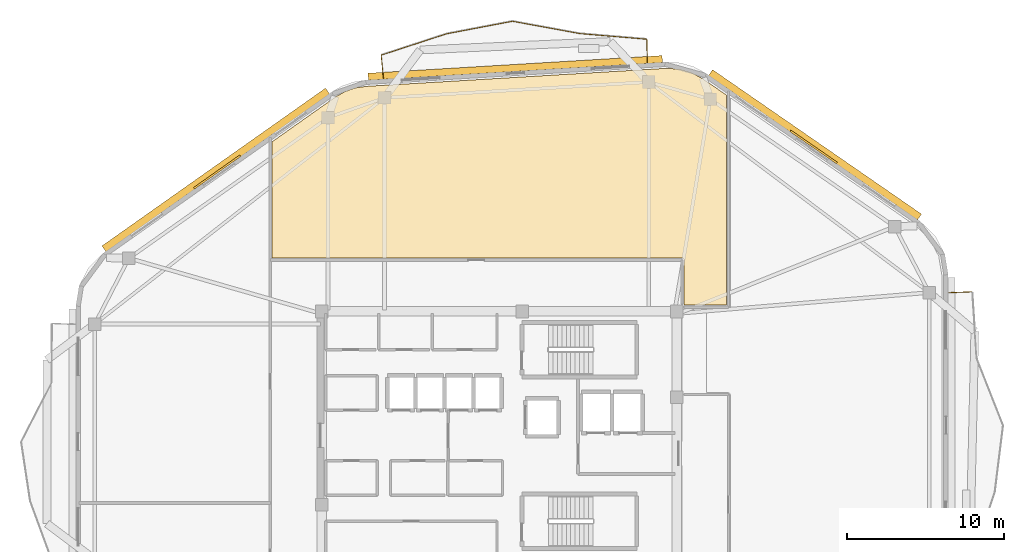
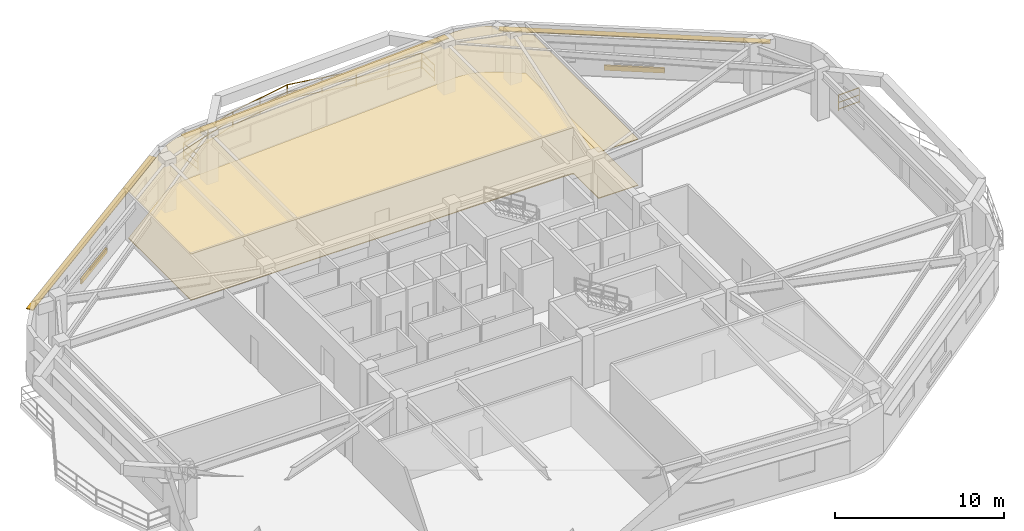
# One storey, part 9 of 9: 7 railings, 5 shading devices, 2 coverings.
"""IFC4 building model written with IfcOpenShell, lengths in metres."""

import ifcopenshell
import ifcopenshell.guid

model = None  # the IFC model being written
_history = None  # IfcOwnerHistory: only IFC2X3 demands one
_inside = {}  # id of a spatial element -> (the spatial element, [elements in it])
_under = {}  # id of a project, library or spatial element -> (it, [spatial elements below it])
_declared = {}  # id of a project -> (the project, [libraries it declares])
_typed = {}  # id of a type object -> (the type object, [elements of that type])
_made_of = {}  # id of a material, layer set ... -> (it, [elements and type objects made of it])


def new_model(schema):
    """Start an empty IFC model of exactly this schema.

    Asked for "IFC4X3", IfcOpenShell would pick the latest addendum, in which some entities
    have other attributes; the version numbers below select the first issue.
    IFC2X3 requires an IfcOwnerHistory on every rooted entity: one is made here for all.
    """
    global model, _history
    if schema == "IFC4X3":
        model = ifcopenshell.file(schema_version=(4, 3, 0, 0))
    else:
        model = ifcopenshell.file(schema=schema)
    _inside.clear()
    _under.clear()
    _declared.clear()
    _typed.clear()
    _made_of.clear()
    _history = None
    if model.schema == "IFC2X3":
        org = make("IfcOrganization", Name="unknown")
        user = make(
            "IfcPersonAndOrganization",
            ThePerson=make("IfcPerson", FamilyName="unknown"),
            TheOrganization=org,
        )
        app = make(
            "IfcApplication",
            ApplicationDeveloper=org,
            Version="unknown",
            ApplicationFullName="unknown",
            ApplicationIdentifier="unknown",
        )
        _history = make(
            "IfcOwnerHistory",
            OwningUser=user,
            OwningApplication=app,
            ChangeAction="ADDED",
            CreationDate=0,
        )
    return model


def make(cls, **values):
    """One entity of the class cls with the attributes given. An attribute that is None is left unset."""
    return model.create_entity(
        cls, **{name: value for name, value in values.items() if value is not None}
    )


def rooted(cls, **values):
    """An entity with a GlobalId (a new one), such as an element, a storey or a relation."""
    return make(cls, GlobalId=ifcopenshell.guid.new(), OwnerHistory=_history, **values)


def si_unit(unit_type, name, prefix=None):
    """IfcSIUnit, for example si_unit("LENGTHUNIT", "METRE", prefix="MILLI")."""
    return make("IfcSIUnit", UnitType=unit_type, Prefix=prefix, Name=name)


def assignment(units):
    """IfcUnitAssignment: the units of a project."""
    return None if units is None else make("IfcUnitAssignment", Units=units)


def point(xyz):
    """IfcCartesianPoint."""
    return None if xyz is None else make("IfcCartesianPoint", Coordinates=xyz)


def direction(xyz):
    """IfcDirection."""
    return None if xyz is None else make("IfcDirection", DirectionRatios=xyz)


def frame(location, z_axis=None, x_axis=None):
    """IfcAxis2Placement3D, a coordinate frame: its origin and axes. An axis left out is left unset."""
    return make(
        "IfcAxis2Placement3D",
        Location=point(location),
        Axis=direction(z_axis),
        RefDirection=direction(x_axis),
    )


def frame_2d(location, x_axis=None):
    """IfcAxis2Placement2D, a coordinate frame in the plane: its origin and x axis."""
    return make(
        "IfcAxis2Placement2D", Location=point(location), RefDirection=direction(x_axis)
    )


def origin():
    """The frame at (0, 0, 0) with its axes left unset."""
    return frame((0.0, 0.0, 0.0))


def origin_2d():
    """The frame at (0, 0) in the plane with its x axis left unset."""
    return frame_2d((0.0, 0.0))


def place(relative_to, where):
    """IfcLocalPlacement: puts the frame where relative to a parent placement (None: the world)."""
    return make(
        "IfcLocalPlacement", PlacementRelTo=relative_to, RelativePlacement=where
    )


def context(
    kind, dimensions, precision=None, world=None, true_north=None, identifier=None
):
    """IfcGeometricRepresentationContext, for example the 3D "Model" context."""
    return make(
        "IfcGeometricRepresentationContext",
        ContextIdentifier=identifier,
        ContextType=kind,
        CoordinateSpaceDimension=dimensions,
        Precision=precision,
        WorldCoordinateSystem=world,
        TrueNorth=true_north,
    )


def subcontext(parent, identifier, kind, view, scale=None):
    """IfcGeometricRepresentationSubContext, for example "Body" below "Model"."""
    return make(
        "IfcGeometricRepresentationSubContext",
        ContextIdentifier=identifier,
        ContextType=kind,
        ParentContext=parent,
        TargetScale=scale,
        TargetView=view,
    )


def project(units=None, contexts=None):
    """IfcProject with its units and contexts."""
    return rooted(
        "IfcProject",
        Name="project",
        RepresentationContexts=contexts,
        UnitsInContext=assignment(units),
    )


def spatial(cls, under=None, at=None, **own):
    """A site, building, storey or space (cls), placed at a placement, below another one or the project."""
    s = rooted(cls, ObjectPlacement=at, **own)
    if under is not None:
        _under.setdefault(under.id(), (under, []))[1].append(s)
    return s


def polyline(points):
    """IfcPolyline through the points."""
    return make("IfcPolyline", Points=[point(p) for p in points])


def profile(cls, at=None, kind="AREA", **sizes):
    """A parametric profile (cls). Its sizes go by their IFC names, for example OverallWidth=200.0."""
    return make(cls, ProfileType=kind, Position=at, **sizes)


def rectangle(**sizes):
    """IfcRectangleProfileDef."""
    return profile("IfcRectangleProfileDef", **sizes)


def outline(outer, holes=None, kind="AREA"):
    """IfcArbitraryClosedProfileDef: a profile drawn as a closed curve; with holes, ...WithVoids."""
    if holes is None:
        return make("IfcArbitraryClosedProfileDef", ProfileType=kind, OuterCurve=outer)
    return make(
        "IfcArbitraryProfileDefWithVoids",
        ProfileType=kind,
        OuterCurve=outer,
        InnerCurves=holes,
    )


def extrude(swept, where, along, depth):
    """IfcExtrudedAreaSolid: the profile swept, set in the frame where, extruded along a direction by depth."""
    return make(
        "IfcExtrudedAreaSolid",
        SweptArea=swept,
        Position=where,
        ExtrudedDirection=direction(along),
        Depth=depth,
    )


def shape(context_of_items, identifier, shape_type, items):
    """IfcShapeRepresentation: the items that make up one representation, for example the "Body"."""
    return make(
        "IfcShapeRepresentation",
        ContextOfItems=context_of_items,
        RepresentationIdentifier=identifier,
        RepresentationType=shape_type,
        Items=items,
    )


def material(Name=None, Category=None):
    """IfcMaterial."""
    return make("IfcMaterial", Name=Name, Category=Category)


def layer(
    of_material, thickness, ventilated=None, Name=None, Category=None, Priority=None
):
    """IfcMaterialLayer: one layer of a wall or slab, of a material (None: an air gap)."""
    return make(
        "IfcMaterialLayer",
        Material=of_material,
        LayerThickness=thickness,
        IsVentilated=ventilated,
        Name=Name,
        Category=Category,
        Priority=Priority,
    )


def layer_set(layers, Name=None):
    """IfcMaterialLayerSet."""
    return make("IfcMaterialLayerSet", MaterialLayers=layers, LayerSetName=Name)


def made_of(thing, what):
    """Note that an element or type object is made of a material, layer set ...; save() writes the relation."""
    if what is not None:
        _made_of.setdefault(what.id(), (what, []))[1].append(thing)
    return thing


def type_object(cls, material=None, **own):
    """A type object (cls), such as IfcWallType, which elements share."""
    return made_of(rooted(cls, **own), material)


def element(
    cls,
    number,
    at=None,
    inside=None,
    cuts=None,
    type_object=None,
    material=None,
    context=None,
    identifier="Body",
    shape_type=None,
    held_by="IfcProductDefinitionShape",
    body=None,
    shapes=None,
    **own,
):
    """One element of the class cls, such as IfcWall. Its Tag is "e" and its number.

    at: its placement. inside: the storey or other place that contains it. cuts: it is an
    opening in that element (IfcRelVoidsElement). A single representation is given by context,
    identifier, shape_type and body (its items); several are given by shapes. held_by: the class
    of the entity that holds the representations. save() writes the other relations.
    """
    e = rooted(cls, Tag="e%d" % number, ObjectPlacement=at, **own)
    if body is not None:
        shapes = [shape(context, identifier, shape_type, body)]
    if shapes is not None:
        e.Representation = make(held_by, Representations=shapes)
    if inside is not None:
        _inside.setdefault(inside.id(), (inside, []))[1].append(e)
    if cuts is not None:
        rooted(
            "IfcRelVoidsElement", RelatingBuildingElement=cuts, RelatedOpeningElement=e
        )
    if type_object is not None:
        _typed.setdefault(type_object.id(), (type_object, []))[1].append(e)
    return made_of(e, material)


def aggregate(whole, parts):
    """IfcRelAggregates: a whole, such as a stair, and the parts it consists of."""
    return rooted("IfcRelAggregates", RelatingObject=whole, RelatedObjects=parts)


def save(model, path):
    """Write the relations noted so far, then the file.

    IfcRelAggregates (storeys below a building ...), IfcRelContainedInSpatialStructure (elements
    in a storey), IfcRelDefinesByType, IfcRelAssociatesMaterial and IfcRelDeclares: one each for
    every whole, place, type object, material and project.
    """
    for whole, parts in _under.values():
        aggregate(whole, parts)
    for where, things in _inside.values():
        rooted(
            "IfcRelContainedInSpatialStructure",
            RelatedElements=things,
            RelatingStructure=where,
        )
    for kind, things in _typed.values():
        rooted("IfcRelDefinesByType", RelatedObjects=things, RelatingType=kind)
    for what, things in _made_of.values():
        rooted("IfcRelAssociatesMaterial", RelatedObjects=things, RelatingMaterial=what)
    for by, libraries in _declared.values():
        rooted("IfcRelDeclares", RelatingContext=by, RelatedDefinitions=libraries)
    model.write(path)


model = new_model("IFC4")

# Units and contexts
model_context = context("Model", 3, precision=1e-05, world=origin(), true_north=direction((0.0, 1.0)))
body_context = subcontext(model_context, "Body", "Model", "MODEL_VIEW")
ifc_project = project(units=[si_unit("LENGTHUNIT", "METRE"), si_unit("AREAUNIT", "SQUARE_METRE"), si_unit("VOLUMEUNIT", "CUBIC_METRE"), si_unit("PLANEANGLEUNIT", "RADIAN"), si_unit("MASSUNIT", "GRAM", prefix="KILO")], contexts=[model_context])

# Site, building, storey
site_placement = place(None, origin())
site = spatial("IfcSite", under=ifc_project, at=site_placement, CompositionType="ELEMENT")
building_placement = place(site_placement, origin())
building = spatial("IfcBuilding", under=site, at=building_placement, Name="Zulverin Broadcast Headquarters", CompositionType="ELEMENT")
storey_placement = place(building_placement, frame((0.0, 0.0, 251.60009765625)))
storey = spatial("IfcBuildingStorey", under=building, at=storey_placement, Name="L64", CompositionType="ELEMENT", Elevation=251.60009765625)

# Coverings
ifc_material_1 = material(Name="Perforated pale-metal acoustic baffle ceiling", Category="aluminium")
ifc_layer_1 = layer(ifc_material_1, 0.0400390625, Name="Perforated pale-metal acoustic baffle ceiling", Category="aluminium")
ifc_layer_set_1 = layer_set([ifc_layer_1], Name="Perforated pale-metal acoustic baffle ceiling")
covering_type_1 = type_object("IfcCoveringType", Name="COV-CEIL-ACOU", PredefinedType="CEILING", material=ifc_layer_set_1)
covering_1_placement = place(storey_placement, frame((0.0, 0.0, 3.329833984375)))
element("IfcCovering", 1, at=covering_1_placement, inside=storey, type_object=covering_type_1, Name="L64 Acoustic Baffle Ceiling 01", PredefinedType="CEILING", context=body_context, shape_type="SweptSolid", body=[
    extrude(outline(polyline([(48.39599609375, 48.471923828125), (47.56005859375, 48.51611328125), (28.52392578125, 47.3720703125), (27.827880859375, 47.26806640625), (27.18798828125, 47.0400390625), (26.575927734375, 46.69189453125), (22.572021484375, 43.860107421875), (22.572021484375, 36.471923828125), (48.60009765625, 36.471923828125), (48.612060546875, 36.471923828125), (48.6240234375, 36.468017578125), (48.635986328125, 36.468017578125), (48.64404296875, 36.464111328125), (48.656005859375, 36.4560546875), (48.66796875, 36.451904296875), (48.676025390625, 36.444091796875), (48.68408203125, 36.43603515625), (48.69189453125, 36.427978515625), (48.699951171875, 36.419921875), (48.7041015625, 36.407958984375), (48.7119140625, 36.39599609375), (48.716064453125, 36.387939453125), (48.716064453125, 36.3759765625), (48.719970703125, 36.364013671875), (48.719970703125, 36.35205078125), (48.719970703125, 33.5), (51.431884765625, 33.5), (51.431884765625, 46.81201171875), (49.924072265625, 47.85205078125), (49.18798828125, 48.251953125), (48.39599609375, 48.471923828125)])), origin(), (0.0, 0.0, 1.0), 0.0400390625),
])
ifc_material_2 = material(Name="Anti-static broadcast raised access flooring", Category="stone")
ifc_layer_2 = layer(ifc_material_2, 0.050048828125, Name="Anti-static broadcast raised access flooring", Category="stone")
ifc_layer_set_2 = layer_set([ifc_layer_2], Name="Anti-static broadcast raised access flooring")
covering_type_2 = type_object("IfcCoveringType", Name="COV-FLR-RAISED", PredefinedType="FLOORING", material=ifc_layer_set_2)
covering_2_placement = place(storey_placement, origin())
element("IfcCovering", 2, at=covering_2_placement, inside=storey, type_object=covering_type_2, Name="L64 Broadcast Raised Access Flooring 01", PredefinedType="FLOORING", context=body_context, shape_type="SweptSolid", body=[
    extrude(outline(polyline([(48.39599609375, 48.471923828125), (47.56005859375, 48.51611328125), (28.52392578125, 47.3720703125), (27.827880859375, 47.26806640625), (27.18798828125, 47.0400390625), (26.575927734375, 46.69189453125), (22.572021484375, 43.860107421875), (22.572021484375, 36.471923828125), (48.60009765625, 36.471923828125), (48.612060546875, 36.471923828125), (48.6240234375, 36.468017578125), (48.635986328125, 36.468017578125), (48.64404296875, 36.464111328125), (48.656005859375, 36.4560546875), (48.66796875, 36.451904296875), (48.676025390625, 36.444091796875), (48.68408203125, 36.43603515625), (48.69189453125, 36.427978515625), (48.699951171875, 36.419921875), (48.7041015625, 36.407958984375), (48.7119140625, 36.39599609375), (48.716064453125, 36.387939453125), (48.716064453125, 36.3759765625), (48.719970703125, 36.364013671875), (48.719970703125, 36.35205078125), (48.719970703125, 33.5), (51.431884765625, 33.5), (51.431884765625, 46.81201171875), (49.924072265625, 47.85205078125), (49.18798828125, 48.251953125), (48.39599609375, 48.471923828125)])), origin(), (0.0, 0.0, 1.0), 0.0498046875),
])

# Railings
ifc_material_3 = material(Name="Brushed stainless steel & laminated glass balustrade", Category="steel")
railing_type = type_object("IfcRailingType", Name="RL-GUARD-1150", PredefinedType="GUARDRAIL", material=ifc_material_3)
railing_1_placement = place(storey_placement, frame((67.0048828125, 34.3251953125, 0.0)))
element("IfcRailing", 3, at=railing_1_placement, inside=storey, type_object=railing_type, Name="L64 Vertical-Forest Balcony Guardrail BAL_E Segment 06", PredefinedType="GUARDRAIL", context=body_context, shape_type="SweptSolid", body=[
    extrude(rectangle(XDim=0.048095703125, YDim=0.048095703125, at=origin_2d()), frame((0.0, 0.0, 1.1259765625), z_axis=(-0.999174135318, -0.040633081503, 0.0), x_axis=(0.040633081503, -0.999174135318, 0.0)), (0.0, 0.0, 1.0), 1.466064453125),
    extrude(rectangle(XDim=0.0419921875, YDim=0.0419921875, at=origin_2d()), frame((0.0, 0.0, 0.597900390625), z_axis=(-0.999174135318, -0.040633081503, 0.0), x_axis=(0.040633081503, -0.999174135318, 0.0)), (0.0, 0.0, 1.0), 1.466064453125),
    extrude(rectangle(XDim=0.0419921875, YDim=0.0419921875, at=origin_2d()), frame((0.0, 0.0, 0.1201171875), z_axis=(-0.999174135318, -0.040633081503, 0.0), x_axis=(0.040633081503, -0.999174135318, 0.0)), (0.0, 0.0, 1.0), 1.466064453125),
    extrude(rectangle(XDim=0.0419921875, YDim=0.0419921875, at=origin_2d()), origin(), (0.0, 0.0, 1.0), 1.101806640625),
    extrude(rectangle(XDim=0.0419921875, YDim=0.0419921875, at=origin_2d()), frame((-1.46484375, -0.0595703125, 0.0)), (0.0, 0.0, 1.0), 1.101806640625),
])
railing_2_placement = place(storey_placement, frame((46.397216796875, 48.885498046875, 0.0)))
element("IfcRailing", 4, at=railing_2_placement, inside=storey, type_object=railing_type, Name="L64 Vertical-Forest Balcony Guardrail BAL_N Segment 01", PredefinedType="GUARDRAIL", context=body_context, shape_type="SweptSolid", body=[
    extrude(rectangle(XDim=0.048095703125, YDim=0.048095703125, at=origin_2d()), frame((0.0, 0.0, 1.1259765625), z_axis=(-0.019480066399, 0.999810245503, 0.0), x_axis=(-0.999810245503, -0.019480066399, 0.0)), (0.0, 0.0, 1.0), 1.46630859375),
    extrude(rectangle(XDim=0.0419921875, YDim=0.0419921875, at=origin_2d()), frame((0.0, 0.0, 0.597900390625), z_axis=(-0.019480066399, 0.999810245503, 0.0), x_axis=(-0.999810245503, -0.019480066399, 0.0)), (0.0, 0.0, 1.0), 1.46630859375),
    extrude(rectangle(XDim=0.0419921875, YDim=0.0419921875, at=origin_2d()), frame((0.0, 0.0, 0.1201171875), z_axis=(-0.019480066399, 0.999810245503, 0.0), x_axis=(-0.999810245503, -0.019480066399, 0.0)), (0.0, 0.0, 1.0), 1.46630859375),
    extrude(rectangle(XDim=0.0419921875, YDim=0.0419921875, at=origin_2d()), origin(), (0.0, 0.0, 1.0), 1.101806640625),
    extrude(rectangle(XDim=0.0419921875, YDim=0.0419921875, at=origin_2d()), frame((-0.028564453125, 1.466064453125, 0.0)), (0.0, 0.0, 1.0), 1.101806640625),
])
railing_3_placement = place(storey_placement, frame((46.353515625, 50.367919921875, 0.0)))
element("IfcRailing", 5, at=railing_3_placement, inside=storey, type_object=railing_type, Name="L64 Vertical-Forest Balcony Guardrail BAL_N Segment 02", PredefinedType="GUARDRAIL", context=body_context, shape_type="SweptSolid", body=[
    extrude(rectangle(XDim=0.048095703125, YDim=0.048095703125, at=origin_2d()), frame((0.0, 0.0, 1.1259765625), z_axis=(-0.996482760527, 0.083798018905, 0.0), x_axis=(-0.083798018905, -0.996482760527, 0.0)), (0.0, 0.0, 1.0), 4.241943359375),
    extrude(rectangle(XDim=0.0419921875, YDim=0.0419921875, at=origin_2d()), frame((0.0, 0.0, 0.597900390625), z_axis=(-0.996482760527, 0.083798018905, 0.0), x_axis=(-0.083798018905, -0.996482760527, 0.0)), (0.0, 0.0, 1.0), 4.241943359375),
    extrude(rectangle(XDim=0.0419921875, YDim=0.0419921875, at=origin_2d()), frame((0.0, 0.0, 0.1201171875), z_axis=(-0.996482760527, 0.083798018905, 0.0), x_axis=(-0.083798018905, -0.996482760527, 0.0)), (0.0, 0.0, 1.0), 4.241943359375),
    extrude(rectangle(XDim=0.0419921875, YDim=0.0419921875, at=origin_2d()), origin(), (0.0, 0.0, 1.0), 1.101806640625),
    extrude(rectangle(XDim=0.0419921875, YDim=0.0419921875, at=origin_2d()), frame((-2.113525390625, 0.177734375, 0.0)), (0.0, 0.0, 1.0), 1.101806640625),
    extrude(rectangle(XDim=0.0419921875, YDim=0.0419921875, at=origin_2d()), frame((-4.22705078125, 0.35546875, 0.0)), (0.0, 0.0, 1.0), 1.101806640625),
])
railing_4_placement = place(storey_placement, frame((42.0966796875, 50.727294921875, 0.0)))
element("IfcRailing", 6, at=railing_4_placement, inside=storey, type_object=railing_type, Name="L64 Vertical-Forest Balcony Guardrail BAL_N Segment 03", PredefinedType="GUARDRAIL", context=body_context, shape_type="SweptSolid", body=[
    extrude(rectangle(XDim=0.048095703125, YDim=0.048095703125, at=origin_2d()), frame((0.0, 0.0, 1.1259765625), z_axis=(-0.983691422251, 0.179864353859, 0.0), x_axis=(-0.179864353859, -0.983691422251, 0.0)), (0.0, 0.0, 1.0), 4.3232421875),
    extrude(rectangle(XDim=0.0419921875, YDim=0.0419921875, at=origin_2d()), frame((0.0, 0.0, 0.597900390625), z_axis=(-0.983691422251, 0.179864353859, 0.0), x_axis=(-0.179864353859, -0.983691422251, 0.0)), (0.0, 0.0, 1.0), 4.3232421875),
    extrude(rectangle(XDim=0.0419921875, YDim=0.0419921875, at=origin_2d()), frame((0.0, 0.0, 0.1201171875), z_axis=(-0.983691422251, 0.179864353859, 0.0), x_axis=(-0.179864353859, -0.983691422251, 0.0)), (0.0, 0.0, 1.0), 4.3232421875),
    extrude(rectangle(XDim=0.0419921875, YDim=0.0419921875, at=origin_2d()), origin(), (0.0, 0.0, 1.0), 1.101806640625),
    extrude(rectangle(XDim=0.0419921875, YDim=0.0419921875, at=origin_2d()), frame((-2.12646484375, 0.388671875, 0.0)), (0.0, 0.0, 1.0), 1.101806640625),
    extrude(rectangle(XDim=0.0419921875, YDim=0.0419921875, at=origin_2d()), frame((-4.252685546875, 0.777587890625, 0.0)), (0.0, 0.0, 1.0), 1.101806640625),
])
railing_5_placement = place(storey_placement, frame((37.814453125, 51.504638671875, 0.0)))
element("IfcRailing", 7, at=railing_5_placement, inside=storey, type_object=railing_type, Name="L64 Vertical-Forest Balcony Guardrail BAL_N Segment 04", PredefinedType="GUARDRAIL", context=body_context, shape_type="SweptSolid", body=[
    extrude(rectangle(XDim=0.048095703125, YDim=0.048095703125, at=origin_2d()), frame((0.0, 0.0, 1.1259765625), z_axis=(-0.982338566422, -0.18711210789, 0.0), x_axis=(0.18711210789, -0.982338566422, 0.0)), (0.0, 0.0, 1.0), 4.232666015625),
    extrude(rectangle(XDim=0.0419921875, YDim=0.0419921875, at=origin_2d()), frame((0.0, 0.0, 0.597900390625), z_axis=(-0.982338566422, -0.18711210789, 0.0), x_axis=(0.18711210789, -0.982338566422, 0.0)), (0.0, 0.0, 1.0), 4.232666015625),
    extrude(rectangle(XDim=0.0419921875, YDim=0.0419921875, at=origin_2d()), frame((0.0, 0.0, 0.1201171875), z_axis=(-0.982338566422, -0.18711210789, 0.0), x_axis=(0.18711210789, -0.982338566422, 0.0)), (0.0, 0.0, 1.0), 4.232666015625),
    extrude(rectangle(XDim=0.0419921875, YDim=0.0419921875, at=origin_2d()), origin(), (0.0, 0.0, 1.0), 1.101806640625),
    extrude(rectangle(XDim=0.0419921875, YDim=0.0419921875, at=origin_2d()), frame((-2.0791015625, -0.39599609375, 0.0)), (0.0, 0.0, 1.0), 1.101806640625),
    extrude(rectangle(XDim=0.0419921875, YDim=0.0419921875, at=origin_2d()), frame((-4.157958984375, -0.7919921875, 0.0)), (0.0, 0.0, 1.0), 1.101806640625),
])
railing_6_placement = place(storey_placement, frame((33.62744140625, 50.705078125, 0.0)))
element("IfcRailing", 8, at=railing_6_placement, inside=storey, type_object=railing_type, Name="L64 Vertical-Forest Balcony Guardrail BAL_N Segment 05", PredefinedType="GUARDRAIL", context=body_context, shape_type="SweptSolid", body=[
    extrude(rectangle(XDim=0.048095703125, YDim=0.048095703125, at=origin_2d()), frame((0.0, 0.0, 1.1259765625), z_axis=(-0.950595292658, -0.310432906722, 0.0), x_axis=(0.310432906722, -0.950595292658, 0.0)), (0.0, 0.0, 1.0), 4.339599609375),
    extrude(rectangle(XDim=0.0419921875, YDim=0.0419921875, at=origin_2d()), frame((0.0, 0.0, 0.597900390625), z_axis=(-0.950595292658, -0.310432906722, 0.0), x_axis=(0.310432906722, -0.950595292658, 0.0)), (0.0, 0.0, 1.0), 4.339599609375),
    extrude(rectangle(XDim=0.0419921875, YDim=0.0419921875, at=origin_2d()), frame((0.0, 0.0, 0.1201171875), z_axis=(-0.950595292658, -0.310432906722, 0.0), x_axis=(0.310432906722, -0.950595292658, 0.0)), (0.0, 0.0, 1.0), 4.339599609375),
    extrude(rectangle(XDim=0.0419921875, YDim=0.0419921875, at=origin_2d()), origin(), (0.0, 0.0, 1.0), 1.101806640625),
    extrude(rectangle(XDim=0.0419921875, YDim=0.0419921875, at=origin_2d()), frame((-2.0625, -0.673583984375, 0.0)), (0.0, 0.0, 1.0), 1.101806640625),
    extrude(rectangle(XDim=0.0419921875, YDim=0.0419921875, at=origin_2d()), frame((-4.125244140625, -1.34716796875, 0.0)), (0.0, 0.0, 1.0), 1.101806640625),
])
railing_7_placement = place(storey_placement, frame((29.489501953125, 49.338134765625, 0.0)))
element("IfcRailing", 9, at=railing_7_placement, inside=storey, type_object=railing_type, Name="L64 Vertical-Forest Balcony Guardrail BAL_N Segment 06", PredefinedType="GUARDRAIL", context=body_context, shape_type="SweptSolid", body=[
    extrude(rectangle(XDim=0.048095703125, YDim=0.048095703125, at=origin_2d()), frame((0.0, 0.0, 1.1259765625), z_axis=(0.100245616419, -0.994962721105, 0.0), x_axis=(0.994962721105, 0.100245616419, 0.0)), (0.0, 0.0, 1.0), 1.466064453125),
    extrude(rectangle(XDim=0.0419921875, YDim=0.0419921875, at=origin_2d()), frame((0.0, 0.0, 0.597900390625), z_axis=(0.100245616419, -0.994962721105, 0.0), x_axis=(0.994962721105, 0.100245616419, 0.0)), (0.0, 0.0, 1.0), 1.466064453125),
    extrude(rectangle(XDim=0.0419921875, YDim=0.0419921875, at=origin_2d()), frame((0.0, 0.0, 0.1201171875), z_axis=(0.100245616419, -0.994962721105, 0.0), x_axis=(0.994962721105, 0.100245616419, 0.0)), (0.0, 0.0, 1.0), 1.466064453125),
    extrude(rectangle(XDim=0.0419921875, YDim=0.0419921875, at=origin_2d()), origin(), (0.0, 0.0, 1.0), 1.101806640625),
    extrude(rectangle(XDim=0.0419921875, YDim=0.0419921875, at=origin_2d()), frame((0.14697265625, -1.458740234375, 0.0)), (0.0, 0.0, 1.0), 1.101806640625),
])

# Shading devices
ifc_material_4 = material(Name="Anodized pale-metal aluminium acoustic louvre", Category="aluminium")
shading_device_type_1 = type_object("IfcShadingDeviceType", Name="SHD-LOUVRE-350", PredefinedType="USERDEFINED", material=ifc_material_4)
for number, where, z_axis, x_axis, name in (
    (10, (56.955322265625, 43.52978515625, 0.244873046875), (0.0, 0.0, 1.0), (-0.822655402653, 0.568540313861, 0.0), "L64 Spandrel Intake Louvre 4"),
    (11, (19.076171875, 41.933837890625, 0.244873046875), (0.0, 0.0, 1.0), (-0.817023146348, -0.576604871929, 0.0), "L64 Spandrel Intake Louvre 6"),
):
    element("IfcShadingDevice", number, at=place(storey_placement, frame(where, z_axis=z_axis, x_axis=x_axis)), inside=storey, type_object=shading_device_type_1, Name=name, ObjectType="LOUVRE", PredefinedType="USERDEFINED", context=body_context, shape_type="SweptSolid", body=[
        extrude(rectangle(XDim=3.60009765625, YDim=0.1201171875, at=origin_2d()), origin(), (0.0, 0.0, 1.0), 0.35009765625),
    ])
ifc_material_5 = material(Name="Anodized pale-metal aluminium sunshade", Category="aluminium")
ifc_layer_3 = layer(ifc_material_5, 0.06005859375, Name="Anodized pale-metal aluminium sunshade", Category="aluminium")
ifc_layer_set_3 = layer_set([ifc_layer_3], Name="Anodized pale-metal aluminium sunshade")
shading_device_type_2 = type_object("IfcShadingDeviceType", Name="SS-01_PALE_METAL_ALUMINIUM_SUNSHADE", PredefinedType="USERDEFINED", material=ifc_layer_set_3)
shading_device_1_placement = place(storey_placement, frame((57.04638671875, 43.66162109375, 2.7099609375), z_axis=(0.0, 0.0, 1.0), x_axis=(-0.822655402653, 0.568540313861, 0.0)))
element("IfcShadingDevice", 12, at=shading_device_1_placement, inside=storey, type_object=shading_device_type_2, Name="L64 Horizontal Pale-Metal Sunshade Band 4", ObjectType="SUNSHADE", PredefinedType="USERDEFINED", context=body_context, shape_type="SweptSolid", body=[
    extrude(rectangle(XDim=16.1279296875, YDim=0.449951171875, at=origin_2d()), origin(), (0.0, 0.0, 1.0), 0.06005859375),
])
shading_device_2_placement = place(storey_placement, frame((38.007080078125, 48.542236328125, 2.7099609375), z_axis=(0.0, 0.0, 1.0), x_axis=(-0.99820257679, -0.059930090026, 0.0)))
element("IfcShadingDevice", 13, at=shading_device_2_placement, inside=storey, type_object=shading_device_type_2, Name="L64 Horizontal Pale-Metal Sunshade Band 5", ObjectType="SUNSHADE", PredefinedType="USERDEFINED", context=body_context, shape_type="SweptSolid", body=[
    extrude(rectangle(XDim=18.710693359375, YDim=0.449951171875, at=origin_2d()), origin(), (0.0, 0.0, 1.0), 0.06005859375),
])
shading_device_3_placement = place(storey_placement, frame((18.98388671875, 42.064453125, 2.7099609375), z_axis=(0.0, 0.0, 1.0), x_axis=(-0.817023146348, -0.576604871929, 0.0)))
element("IfcShadingDevice", 14, at=shading_device_3_placement, inside=storey, type_object=shading_device_type_2, Name="L64 Horizontal Pale-Metal Sunshade Band 6", ObjectType="SUNSHADE", PredefinedType="USERDEFINED", context=body_context, shape_type="SweptSolid", body=[
    extrude(rectangle(XDim=17.3798828125, YDim=0.449951171875, at=origin_2d()), origin(), (0.0, 0.0, 1.0), 0.06005859375),
])

save(model, "model.ifc")
